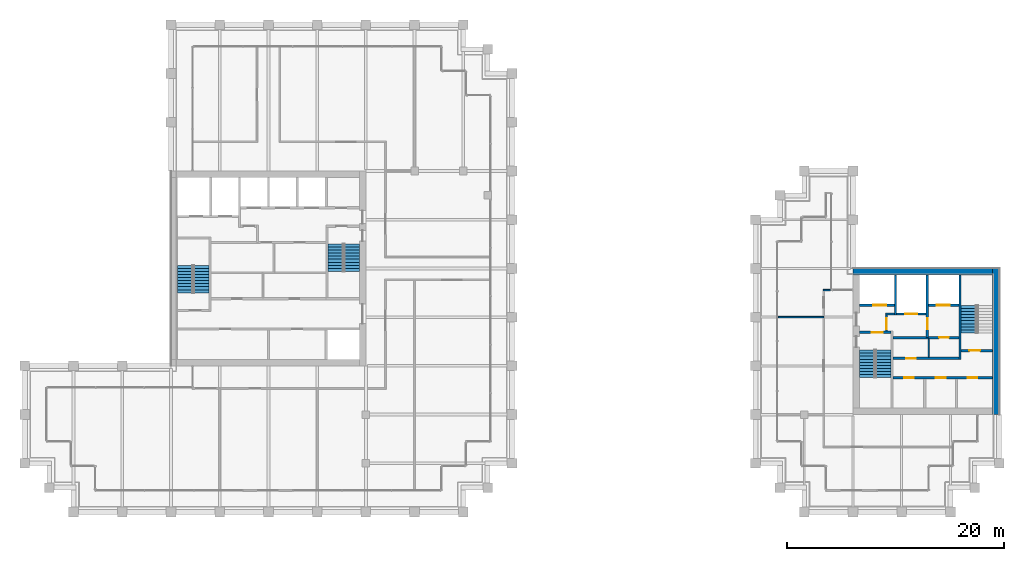
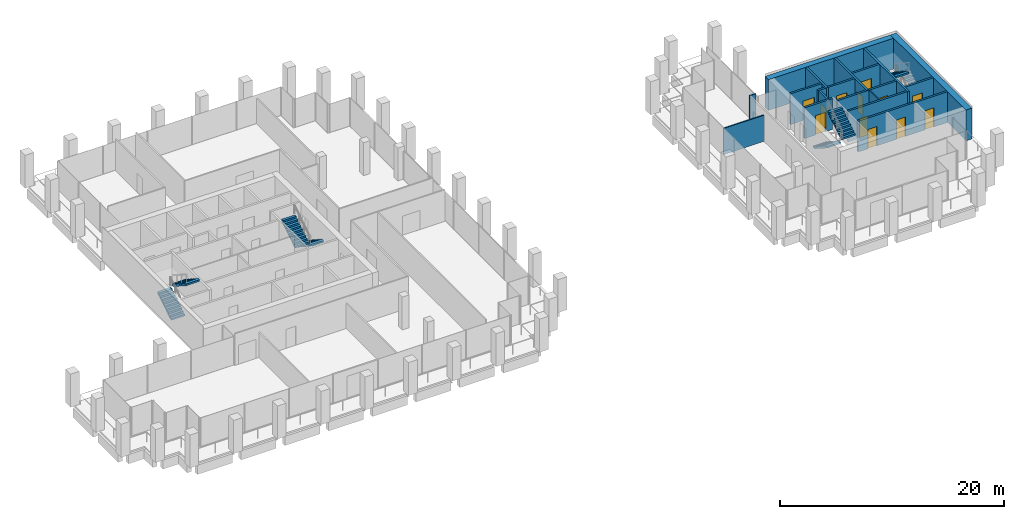
# One storey, part 38 of 40: 18 walls, 12 doors, 7 stair flights, 12 openings, 4 elements without a shape of their own.
"""IFC4 building model written with IfcOpenShell, lengths in metres."""

from ifc_helpers import new_model, si_unit, direction, frame, frame_2d, origin, place, context, subcontext, project, spatial, polyline, rectangle, outline, extrude, material, layer, layer_set, type_object, element, fill, aggregate, save


model = new_model("IFC4")

# Units and contexts
model_context = context("Model", 3, precision=1e-05, world=origin(), true_north=direction((0.0, 1.0)))
body_context = subcontext(model_context, "Body", "Model", "MODEL_VIEW")
ifc_project = project(units=[si_unit("LENGTHUNIT", "METRE"), si_unit("AREAUNIT", "SQUARE_METRE"), si_unit("VOLUMEUNIT", "CUBIC_METRE"), si_unit("PLANEANGLEUNIT", "RADIAN"), si_unit("MASSUNIT", "GRAM", prefix="KILO")], contexts=[model_context])

# Site, building, storey
site_placement = place(None, origin())
site = spatial("IfcSite", under=ifc_project, at=site_placement, CompositionType="ELEMENT")
building_placement = place(site_placement, origin())
building = spatial("IfcBuilding", under=site, at=building_placement, Name="Altepetl Exchange Towers", CompositionType="ELEMENT")
storey_placement = place(building_placement, frame((0.0, 0.0, 154.60009765625)))
storey = spatial("IfcBuildingStorey", under=building, at=storey_placement, Name="L38", CompositionType="ELEMENT", Elevation=154.60009765625)

# Walls
ifc_material_1 = material(Name="Concrete C70/85", Category="concrete")
ifc_layer_1 = layer(ifc_material_1, 0.60009765625)
ifc_layer_set_1 = layer_set([ifc_layer_1], Name="Concrete C70/85")
wall_type_1 = type_object("IfcWallType", Name="Core wall 600 reinforced concrete external", PredefinedType="SHEAR", material=ifc_layer_set_1)
wall_1_placement = place(storey_placement, frame((116.699951171875, 36.0, 0.0), z_axis=(0.0, 0.0, 1.0), x_axis=(0.0, 1.0, 0.0)))
element("IfcWall", 1, at=wall_1_placement, inside=storey, type_object=wall_type_1, Name="wall:B:L38:K-coreE", PredefinedType="SHEAR", context=body_context, shape_type="SweptSolid", body=[
    extrude(rectangle(XDim=13.5, YDim=0.60009765625, at=frame_2d((6.75, 0.0))), origin(), (0.0, 0.0, 1.0), 3.349853515625),
])
wall_2_placement = place(storey_placement, frame((103.5, 49.199951171875, 0.0)))
element("IfcWall", 2, at=wall_2_placement, inside=storey, type_object=wall_type_1, Name="wall:B:L38:K-coreN", PredefinedType="SHEAR", context=body_context, shape_type="SweptSolid", body=[
    extrude(rectangle(XDim=12.89990234375, YDim=0.60009765625, at=frame_2d((6.449951171875, 0.0))), origin(), (0.0, 0.0, 1.0), 3.349853515625),
])
ifc_material_2 = material(Name="Concrete blockwork", Category="masonry")
ifc_layer_2 = layer(ifc_material_2, 0.199951171875)
ifc_layer_set_2 = layer_set([ifc_layer_2], Name="Concrete blockwork")
wall_type_2 = type_object("IfcWallType", Name="Lobby wall 200 blockwork", PredefinedType="PARTITIONING", material=ifc_layer_set_2)
wall_3_placement = place(storey_placement, frame((106.5, 45.300048828125, 0.0)))
element("IfcWall", 3, at=wall_3_placement, inside=storey, type_object=wall_type_2, Name="wall:B:L38:K-ffNw", PredefinedType="PARTITIONING", context=body_context, shape_type="SweptSolid", body=[
    extrude(rectangle(XDim=0.833251953125, YDim=0.199951171875, at=frame_2d((0.41650390625, 0.0))), origin(), (0.0, 0.0, 1.0), 3.349853515625),
])

# Wall, opening, door
wall_4_placement = place(storey_placement, frame((106.60009765625, 43.699951171875, 0.0), z_axis=(0.0, 0.0, 1.0), x_axis=(0.0, 1.0, 0.0)))
wall_4 = element("IfcWall", 4, at=wall_4_placement, inside=storey, type_object=wall_type_2, Name="wall:B:L38:K-ffW", PredefinedType="PARTITIONING", context=body_context, shape_type="SweptSolid", body=[
    extrude(rectangle(XDim=1.5, YDim=0.199951171875, at=frame_2d((0.75, 0.0))), origin(), (0.0, 0.0, 1.0), 3.349853515625),
])
opening_1_placement = place(wall_4_placement, frame((0.199951171875, 0.0, 0.0)))
opening_1 = element("IfcOpeningElement", 5, at=opening_1_placement, cuts=wall_4, Name="Opening L38.B65", PredefinedType="OPENING", context=body_context, shape_type="SweptSolid", body=[
    extrude(rectangle(XDim=1.0, YDim=2.10009765625, at=frame_2d((0.5, 1.050048828125))), frame((0.0, 0.10986328125, 0.0), z_axis=(0.0, -1.0, 0.0), x_axis=(1.0, 0.0, 0.0)), (0.0, 0.0, 1.0), 0.219970703125),
])
ifc_material_3 = material(Name="Steel and timber fire door", Category="steel")
door_type_1 = type_object("IfcDoorType", Name="Fire door 1000 x 2100 stair and lobby", OperationType="SINGLE_SWING_LEFT", PredefinedType="DOOR", material=ifc_material_3)
door_1_placement = place(opening_1_placement, frame((1.0, 0.0, 0.0), x_axis=(-1.0, 0.0, 0.0)))
door_1 = element("IfcDoor", 6, at=door_1_placement, inside=storey, type_object=door_type_1, Name="door:B:L38:K-dffW", OperationType="SINGLE_SWING_LEFT", OverallHeight=2.10009765625, OverallWidth=1.0, PredefinedType="DOOR", context=body_context, shape_type="SweptSolid", body=[
    extrude(rectangle(XDim=1.0, YDim=2.10009765625, at=frame_2d((0.5, 1.050048828125))), frame((0.0, 0.02490234375, 0.0), z_axis=(0.0, -1.0, 0.0), x_axis=(1.0, 0.0, 0.0)), (0.0, 0.0, 1.0), 0.050048828125),
])
fill(opening_1, door_1)

wall_5_placement = place(storey_placement, frame((107.199951171875, 43.10009765625, 0.0)))
wall_5 = element("IfcWall", 7, at=wall_5_placement, inside=storey, type_object=wall_type_2, Name="wall:B:L38:K-zoneN", PredefinedType="PARTITIONING", context=body_context, shape_type="SweptSolid", body=[
    extrude(rectangle(XDim=6.10009765625, YDim=0.199951171875, at=frame_2d((3.050048828125, 0.0))), origin(), (0.0, 0.0, 1.0), 3.349853515625),
])
opening_2_placement = place(wall_5_placement, frame((4.258544921875, 0.0, 0.0)))
opening_2 = element("IfcOpeningElement", 8, at=opening_2_placement, cuts=wall_5, Name="Opening L38.B70", PredefinedType="OPENING", context=body_context, shape_type="SweptSolid", body=[
    extrude(rectangle(XDim=0.89990234375, YDim=2.10009765625, at=frame_2d((0.449951171875, 1.050048828125))), frame((0.0, 0.10986328125, 0.0), z_axis=(0.0, -1.0, 0.0), x_axis=(1.0, 0.0, 0.0)), (0.0, 0.0, 1.0), 0.219970703125),
])
door_type_2 = type_object("IfcDoorType", Name="Fire door 900 x 2100 service room", OperationType="SINGLE_SWING_LEFT", PredefinedType="DOOR", material=ifc_material_3)
door_2_placement = place(opening_2_placement, frame((0.89990234375, 0.0, 0.0), x_axis=(-1.0, 0.0, 0.0)))
door_2 = element("IfcDoor", 9, at=door_2_placement, inside=storey, type_object=door_type_2, Name="door:B:L38:K-dz2", OperationType="SINGLE_SWING_LEFT", OverallHeight=2.10009765625, OverallWidth=0.89990234375, PredefinedType="DOOR", context=body_context, shape_type="SweptSolid", body=[
    extrude(rectangle(XDim=0.89990234375, YDim=2.10009765625, at=frame_2d((0.449951171875, 1.050048828125))), frame((0.0, 0.02490234375, 0.0), z_axis=(0.0, -1.0, 0.0), x_axis=(1.0, 0.0, 0.0)), (0.0, 0.0, 1.0), 0.050048828125),
])
fill(opening_2, door_2)

wall_6_placement = place(storey_placement, frame((107.199951171875, 41.199951171875, 0.0)))
wall_6 = element("IfcWall", 10, at=wall_6_placement, inside=storey, type_object=wall_type_2, Name="wall:B:L38:K-zoneS", PredefinedType="PARTITIONING", context=body_context, shape_type="SweptSolid", body=[
    extrude(rectangle(XDim=6.10009765625, YDim=0.199951171875, at=frame_2d((3.050048828125, 0.0))), origin(), (0.0, 0.0, 1.0), 3.349853515625),
])
opening_3_placement = place(wall_6_placement, frame((1.199951171875, 0.0, 0.0)))
opening_3 = element("IfcOpeningElement", 11, at=opening_3_placement, cuts=wall_6, Name="Opening L38.B69", PredefinedType="OPENING", context=body_context, shape_type="SweptSolid", body=[
    extrude(rectangle(XDim=0.89990234375, YDim=2.10009765625, at=frame_2d((0.449951171875, 1.050048828125))), frame((0.0, 0.10986328125, 0.0), z_axis=(0.0, -1.0, 0.0), x_axis=(1.0, 0.0, 0.0)), (0.0, 0.0, 1.0), 0.219970703125),
])
door_3_placement = place(opening_3_placement, origin())
door_3 = element("IfcDoor", 12, at=door_3_placement, inside=storey, type_object=door_type_2, Name="door:B:L38:K-dz1", OperationType="SINGLE_SWING_RIGHT", OverallHeight=2.10009765625, OverallWidth=0.89990234375, PredefinedType="DOOR", context=body_context, shape_type="SweptSolid", body=[
    extrude(rectangle(XDim=0.89990234375, YDim=2.10009765625, at=frame_2d((0.449951171875, 1.050048828125))), frame((0.0, 0.02490234375, 0.0), z_axis=(0.0, -1.0, 0.0), x_axis=(1.0, 0.0, 0.0)), (0.0, 0.0, 1.0), 0.050048828125),
])
fill(opening_3, door_3)

# Walls
ifc_material_4 = material(Name="Gypsum board on steel studs", Category="steel")
ifc_layer_3 = layer(ifc_material_4, 0.125)
ifc_layer_set_3 = layer_set([ifc_layer_3], Name="Gypsum board on steel studs")
wall_type_3 = type_object("IfcWallType", Name="Partition 125 gypsum board on steel studs", PredefinedType="PARTITIONING", material=ifc_layer_set_3)
wall_7_placement = place(storey_placement, frame((110.5, 41.300048828125, 0.0), z_axis=(0.0, 0.0, 1.0), x_axis=(0.0, 1.0, 0.0)))
element("IfcWall", 13, at=wall_7_placement, inside=storey, type_object=wall_type_3, Name="wall:B:L38:K-zp1", PredefinedType="PARTITIONING", context=body_context, shape_type="SweptSolid", body=[
    extrude(rectangle(XDim=1.699951171875, YDim=0.125, at=frame_2d((0.85009765625, 0.0))), origin(), (0.0, 0.0, 1.0), 3.349853515625),
])
wall_8_placement = place(storey_placement, frame((96.60009765625, 45.0, 0.0)))
element("IfcWall", 14, at=wall_8_placement, inside=storey, type_object=wall_type_3, Name="wall:B:L38:P04", PredefinedType="PARTITIONING", context=body_context, shape_type="SweptSolid", body=[
    extrude(rectangle(XDim=4.199951171875, YDim=0.125, at=frame_2d((2.10009765625, 0.0))), origin(), (0.0, 0.0, 1.0), 2.850830078125),
])
wall_9_placement = place(storey_placement, frame((100.737548828125, 47.5, 0.0)))
element("IfcWall", 15, at=wall_9_placement, inside=storey, type_object=wall_type_3, Name="wall:B:L38:P05", PredefinedType="PARTITIONING", context=body_context, shape_type="SweptSolid", body=[
    extrude(rectangle(XDim=0.662353515625, YDim=0.125, at=frame_2d((0.3310546875, 0.0))), origin(), (0.0, 0.0, 1.0), 3.449951171875),
])
ifc_material_5 = material(Name="Concrete C40/50", Category="concrete")
ifc_layer_4 = layer(ifc_material_5, 0.199951171875)
ifc_layer_set_4 = layer_set([ifc_layer_4], Name="Concrete C40/50")
wall_type_4 = type_object("IfcWallType", Name="Shaft wall 200 reinforced concrete", PredefinedType="SHEAR", material=ifc_layer_set_4)
wall_10_placement = place(storey_placement, frame((107.433349609375, 48.89990234375, 0.0), z_axis=(0.0, 0.0, 1.0), x_axis=(0.0, -1.0, 0.0)))
element("IfcWall", 16, at=wall_10_placement, inside=storey, type_object=wall_type_4, Name="wall:B:L38:K-divN1", PredefinedType="SHEAR", context=body_context, shape_type="SweptSolid", body=[
    extrude(rectangle(XDim=3.699951171875, YDim=0.199951171875, at=frame_2d((1.85009765625, 0.0))), origin(), (0.0, 0.0, 1.0), 3.349853515625),
])

# Wall, opening, door
wall_11_placement = place(storey_placement, frame((110.36669921875, 48.89990234375, 0.0), z_axis=(0.0, 0.0, 1.0), x_axis=(0.0, -1.0, 0.0)))
wall_11 = element("IfcWall", 17, at=wall_11_placement, inside=storey, type_object=wall_type_4, Name="wall:B:L38:K-divN2", PredefinedType="SHEAR", context=body_context, shape_type="SweptSolid", body=[
    extrude(rectangle(XDim=5.7998046875, YDim=0.199951171875, at=frame_2d((2.89990234375, 0.0))), origin(), (0.0, 0.0, 1.0), 3.349853515625),
])
opening_4_placement = place(wall_11_placement, frame((4.0, 0.0, 0.0)))
opening_4 = element("IfcOpeningElement", 18, at=opening_4_placement, cuts=wall_11, Name="Opening L38.B64", PredefinedType="OPENING", context=body_context, shape_type="SweptSolid", body=[
    extrude(rectangle(XDim=1.0, YDim=2.10009765625, at=frame_2d((0.5, 1.050048828125))), frame((0.0, 0.10986328125, 0.0), z_axis=(0.0, -1.0, 0.0), x_axis=(1.0, 0.0, 0.0)), (0.0, 0.0, 1.0), 0.219970703125),
])
door_4_placement = place(opening_4_placement, frame((1.0, 0.0, 0.0), x_axis=(-1.0, 0.0, 0.0)))
door_4 = element("IfcDoor", 19, at=door_4_placement, inside=storey, type_object=door_type_1, Name="door:B:L38:K-dffE", OperationType="SINGLE_SWING_RIGHT", OverallHeight=2.10009765625, OverallWidth=1.0, PredefinedType="DOOR", context=body_context, shape_type="SweptSolid", body=[
    extrude(rectangle(XDim=1.0, YDim=2.10009765625, at=frame_2d((0.5, 1.050048828125))), frame((0.0, 0.02490234375, 0.0), z_axis=(0.0, -1.0, 0.0), x_axis=(1.0, 0.0, 0.0)), (0.0, 0.0, 1.0), 0.050048828125),
])
fill(opening_4, door_4)

wall_12_placement = place(storey_placement, frame((104.10009765625, 46.10009765625, 0.0)))
wall_12 = element("IfcWall", 20, at=wall_12_placement, inside=storey, type_object=wall_type_4, Name="wall:B:L38:K-frontNa", PredefinedType="SHEAR", context=body_context, shape_type="SweptSolid", body=[
    extrude(rectangle(XDim=3.233154296875, YDim=0.199951171875, at=frame_2d((1.61669921875, 0.0))), origin(), (0.0, 0.0, 1.0), 3.349853515625),
])
opening_5_placement = place(wall_12_placement, frame((1.2666015625, 0.0, 0.0)))
opening_5 = element("IfcOpeningElement", 21, at=opening_5_placement, cuts=wall_12, Name="Opening L38.B72", PredefinedType="OPENING", context=body_context, shape_type="SweptSolid", body=[
    extrude(rectangle(XDim=1.199951171875, YDim=2.10009765625, at=frame_2d((0.60009765625, 1.050048828125))), frame((0.0, 0.10986328125, 0.0), z_axis=(0.0, -1.0, 0.0), x_axis=(1.0, 0.0, 0.0)), (0.0, 0.0, 1.0), 0.219970703125),
])
ifc_material_6 = material(Name="Stainless steel", Category="steel")
door_type_3 = type_object("IfcDoorType", Name="Lift landing door 1200 x 2100", OperationType="SLIDING_TO_LEFT", PredefinedType="DOOR", material=ifc_material_6)
door_5_placement = place(opening_5_placement, origin())
door_5 = element("IfcDoor", 22, at=door_5_placement, inside=storey, type_object=door_type_3, Name="Landing door P4", OperationType="SLIDING_TO_LEFT", OverallHeight=2.10009765625, OverallWidth=1.199951171875, PredefinedType="DOOR", context=body_context, shape_type="SweptSolid", body=[
    extrude(rectangle(XDim=1.199951171875, YDim=2.10009765625, at=frame_2d((0.60009765625, 1.050048828125))), frame((0.0, 0.02490234375, 0.0), z_axis=(0.0, -1.0, 0.0), x_axis=(1.0, 0.0, 0.0)), (0.0, 0.0, 1.0), 0.050048828125),
])
fill(opening_5, door_5)

wall_13_placement = place(storey_placement, frame((110.466796875, 46.10009765625, 0.0)))
wall_13 = element("IfcWall", 23, at=wall_13_placement, inside=storey, type_object=wall_type_4, Name="wall:B:L38:K-frontNb", PredefinedType="SHEAR", context=body_context, shape_type="SweptSolid", body=[
    extrude(rectangle(XDim=2.833251953125, YDim=0.199951171875, at=frame_2d((1.41650390625, 0.0))), origin(), (0.0, 0.0, 1.0), 3.349853515625),
])
opening_6_placement = place(wall_13_placement, frame((0.7666015625, 0.0, 0.0)))
opening_6 = element("IfcOpeningElement", 24, at=opening_6_placement, cuts=wall_13, Name="Opening L38.B73", PredefinedType="OPENING", context=body_context, shape_type="SweptSolid", body=[
    extrude(rectangle(XDim=1.199951171875, YDim=2.10009765625, at=frame_2d((0.60009765625, 1.050048828125))), frame((0.0, 0.10986328125, 0.0), z_axis=(0.0, -1.0, 0.0), x_axis=(1.0, 0.0, 0.0)), (0.0, 0.0, 1.0), 0.219970703125),
])
door_6_placement = place(opening_6_placement, origin())
door_6 = element("IfcDoor", 25, at=door_6_placement, inside=storey, type_object=door_type_3, Name="Landing door P5", OperationType="SLIDING_TO_LEFT", OverallHeight=2.10009765625, OverallWidth=1.199951171875, PredefinedType="DOOR", context=body_context, shape_type="SweptSolid", body=[
    extrude(rectangle(XDim=1.199951171875, YDim=2.10009765625, at=frame_2d((0.60009765625, 1.050048828125))), frame((0.0, 0.02490234375, 0.0), z_axis=(0.0, -1.0, 0.0), x_axis=(1.0, 0.0, 0.0)), (0.0, 0.0, 1.0), 0.050048828125),
])
fill(opening_6, door_6)

wall_14_placement = place(storey_placement, frame((107.533203125, 45.300048828125, 0.0)))
wall_14 = element("IfcWall", 26, at=wall_14_placement, inside=storey, type_object=wall_type_4, Name="wall:B:L38:K-frontNd", PredefinedType="SHEAR", context=body_context, shape_type="SweptSolid", body=[
    extrude(rectangle(XDim=2.7333984375, YDim=0.199951171875, at=frame_2d((1.36669921875, 0.0))), origin(), (0.0, 0.0, 1.0), 3.349853515625),
])
opening_7_placement = place(wall_14_placement, frame((0.816650390625, 0.0, 0.0)))
opening_7 = element("IfcOpeningElement", 27, at=opening_7_placement, cuts=wall_14, Name="Opening L38.B71", PredefinedType="OPENING", context=body_context, shape_type="SweptSolid", body=[
    extrude(rectangle(XDim=1.10009765625, YDim=2.10009765625, at=frame_2d((0.550048828125, 1.050048828125))), frame((0.0, 0.10986328125, 0.0), z_axis=(0.0, -1.0, 0.0), x_axis=(1.0, 0.0, 0.0)), (0.0, 0.0, 1.0), 0.219970703125),
])
door_type_4 = type_object("IfcDoorType", Name="Lift landing door 1100 x 2100", OperationType="SLIDING_TO_LEFT", PredefinedType="DOOR", material=ifc_material_6)
door_7_placement = place(opening_7_placement, origin())
door_7 = element("IfcDoor", 28, at=door_7_placement, inside=storey, type_object=door_type_4, Name="Landing door FFL1", OperationType="SLIDING_TO_LEFT", OverallHeight=2.10009765625, OverallWidth=1.10009765625, PredefinedType="DOOR", context=body_context, shape_type="SweptSolid", body=[
    extrude(rectangle(XDim=1.10009765625, YDim=2.10009765625, at=frame_2d((0.550048828125, 1.050048828125))), frame((0.0, 0.02490234375, 0.0), z_axis=(0.0, -1.0, 0.0), x_axis=(1.0, 0.0, 0.0)), (0.0, 0.0, 1.0), 0.050048828125),
])
fill(opening_7, door_7)

# Wall, openings, doors
wall_15_placement = place(storey_placement, frame((107.199951171875, 39.39990234375, 0.0)))
wall_15 = element("IfcWall", 29, at=wall_15_placement, inside=storey, type_object=wall_type_4, Name="wall:B:L38:K-frontS", PredefinedType="SHEAR", context=body_context, shape_type="SweptSolid", body=[
    extrude(rectangle(XDim=9.199951171875, YDim=0.199951171875, at=frame_2d((4.60009765625, 0.0))), origin(), (0.0, 0.0, 1.0), 3.349853515625),
])
opening_8_placement = place(wall_15_placement, frame((1.0166015625, 0.0, 0.0)))
opening_8 = element("IfcOpeningElement", 30, at=opening_8_placement, cuts=wall_15, Name="Opening L38.B66", PredefinedType="OPENING", context=body_context, shape_type="SweptSolid", body=[
    extrude(rectangle(XDim=0.89990234375, YDim=2.10009765625, at=frame_2d((0.449951171875, 1.050048828125))), frame((0.0, 0.10986328125, 0.0), z_axis=(0.0, -1.0, 0.0), x_axis=(1.0, 0.0, 0.0)), (0.0, 0.0, 1.0), 0.219970703125),
])
opening_9_placement = place(wall_15_placement, frame((3.949951171875, 0.0, 0.0)))
opening_9 = element("IfcOpeningElement", 31, at=opening_9_placement, cuts=wall_15, Name="Opening L38.B67", PredefinedType="OPENING", context=body_context, shape_type="SweptSolid", body=[
    extrude(rectangle(XDim=0.89990234375, YDim=2.10009765625, at=frame_2d((0.449951171875, 1.050048828125))), frame((0.0, 0.10986328125, 0.0), z_axis=(0.0, -1.0, 0.0), x_axis=(1.0, 0.0, 0.0)), (0.0, 0.0, 1.0), 0.219970703125),
])
opening_10_placement = place(wall_15_placement, frame((6.88330078125, 0.0, 0.0)))
opening_10 = element("IfcOpeningElement", 32, at=opening_10_placement, cuts=wall_15, Name="Opening L38.B68", PredefinedType="OPENING", context=body_context, shape_type="SweptSolid", body=[
    extrude(rectangle(XDim=0.89990234375, YDim=2.10009765625, at=frame_2d((0.449951171875, 1.050048828125))), frame((0.0, 0.10986328125, 0.0), z_axis=(0.0, -1.0, 0.0), x_axis=(1.0, 0.0, 0.0)), (0.0, 0.0, 1.0), 0.219970703125),
])
door_8_placement = place(opening_8_placement, frame((0.89990234375, 0.0, 0.0), x_axis=(-1.0, 0.0, 0.0)))
door_8 = element("IfcDoor", 33, at=door_8_placement, inside=storey, type_object=door_type_2, Name="door:B:L38:K-dslotS0", OperationType="SINGLE_SWING_LEFT", OverallHeight=2.10009765625, OverallWidth=0.89990234375, PredefinedType="DOOR", context=body_context, shape_type="SweptSolid", body=[
    extrude(rectangle(XDim=0.89990234375, YDim=2.10009765625, at=frame_2d((0.449951171875, 1.050048828125))), frame((0.0, 0.02490234375, 0.0), z_axis=(0.0, -1.0, 0.0), x_axis=(1.0, 0.0, 0.0)), (0.0, 0.0, 1.0), 0.050048828125),
])
fill(opening_8, door_8)
door_9_placement = place(opening_9_placement, frame((0.89990234375, 0.0, 0.0), x_axis=(-1.0, 0.0, 0.0)))
door_9 = element("IfcDoor", 34, at=door_9_placement, inside=storey, type_object=door_type_2, Name="door:B:L38:K-dslotS1", OperationType="SINGLE_SWING_LEFT", OverallHeight=2.10009765625, OverallWidth=0.89990234375, PredefinedType="DOOR", context=body_context, shape_type="SweptSolid", body=[
    extrude(rectangle(XDim=0.89990234375, YDim=2.10009765625, at=frame_2d((0.449951171875, 1.050048828125))), frame((0.0, 0.02490234375, 0.0), z_axis=(0.0, -1.0, 0.0), x_axis=(1.0, 0.0, 0.0)), (0.0, 0.0, 1.0), 0.050048828125),
])
fill(opening_9, door_9)
door_10_placement = place(opening_10_placement, frame((0.89990234375, 0.0, 0.0), x_axis=(-1.0, 0.0, 0.0)))
door_10 = element("IfcDoor", 35, at=door_10_placement, inside=storey, type_object=door_type_2, Name="door:B:L38:K-dslotS2", OperationType="SINGLE_SWING_LEFT", OverallHeight=2.10009765625, OverallWidth=0.89990234375, PredefinedType="DOOR", context=body_context, shape_type="SweptSolid", body=[
    extrude(rectangle(XDim=0.89990234375, YDim=2.10009765625, at=frame_2d((0.449951171875, 1.050048828125))), frame((0.0, 0.02490234375, 0.0), z_axis=(0.0, -1.0, 0.0), x_axis=(1.0, 0.0, 0.0)), (0.0, 0.0, 1.0), 0.050048828125),
])
fill(opening_10, door_10)

# Wall, opening, door
ifc_layer_5 = layer(ifc_material_5, 0.199951171875)
ifc_layer_set_5 = layer_set([ifc_layer_5], Name="Concrete C40/50")
wall_type_5 = type_object("IfcWallType", Name="Stair wall 200 reinforced concrete", PredefinedType="SHEAR", material=ifc_layer_set_5)
wall_16_placement = place(storey_placement, frame((104.10009765625, 43.60009765625, 0.0)))
wall_16 = element("IfcWall", 36, at=wall_16_placement, inside=storey, type_object=wall_type_5, Name="wall:B:L38:K-stS1N", PredefinedType="SHEAR", context=body_context, shape_type="SweptSolid", body=[
    extrude(rectangle(XDim=2.89990234375, YDim=0.199951171875, at=frame_2d((1.449951171875, 0.0))), origin(), (0.0, 0.0, 1.0), 3.349853515625),
])
opening_11_placement = place(wall_16_placement, frame((1.14990234375, 0.0, 0.0)))
opening_11 = element("IfcOpeningElement", 37, at=opening_11_placement, cuts=wall_16, Name="Opening L38.B61", PredefinedType="OPENING", context=body_context, shape_type="SweptSolid", body=[
    extrude(rectangle(XDim=1.0, YDim=2.10009765625, at=frame_2d((0.5, 1.050048828125))), frame((0.0, 0.10986328125, 0.0), z_axis=(0.0, -1.0, 0.0), x_axis=(1.0, 0.0, 0.0)), (0.0, 0.0, 1.0), 0.219970703125),
])
door_11_placement = place(opening_11_placement, frame((1.0, 0.0, 0.0), x_axis=(-1.0, 0.0, 0.0)))
door_11 = element("IfcDoor", 38, at=door_11_placement, inside=storey, type_object=door_type_1, Name="door:B:L38:K-dS1in", OperationType="SINGLE_SWING_LEFT", OverallHeight=2.10009765625, OverallWidth=1.0, PredefinedType="DOOR", context=body_context, shape_type="SweptSolid", body=[
    extrude(rectangle(XDim=1.0, YDim=2.10009765625, at=frame_2d((0.5, 1.050048828125))), frame((0.0, 0.02490234375, 0.0), z_axis=(0.0, -1.0, 0.0), x_axis=(1.0, 0.0, 0.0)), (0.0, 0.0, 1.0), 0.050048828125),
])
fill(opening_11, door_11)

wall_17_placement = place(storey_placement, frame((113.5, 41.89990234375, 0.0)))
wall_17 = element("IfcWall", 39, at=wall_17_placement, inside=storey, type_object=wall_type_5, Name="wall:B:L38:K-stS2S", PredefinedType="SHEAR", context=body_context, shape_type="SweptSolid", body=[
    extrude(rectangle(XDim=2.89990234375, YDim=0.199951171875, at=frame_2d((1.449951171875, 0.0))), origin(), (0.0, 0.0, 1.0), 3.349853515625),
])
opening_12_placement = place(wall_17_placement, frame((0.75, 0.0, 0.0)))
opening_12 = element("IfcOpeningElement", 40, at=opening_12_placement, cuts=wall_17, Name="Opening L38.B63", PredefinedType="OPENING", context=body_context, shape_type="SweptSolid", body=[
    extrude(rectangle(XDim=1.0, YDim=2.10009765625, at=frame_2d((0.5, 1.050048828125))), frame((0.0, 0.10986328125, 0.0), z_axis=(0.0, -1.0, 0.0), x_axis=(1.0, 0.0, 0.0)), (0.0, 0.0, 1.0), 0.219970703125),
])
door_12_placement = place(opening_12_placement, origin())
door_12 = element("IfcDoor", 41, at=door_12_placement, inside=storey, type_object=door_type_1, Name="door:B:L38:K-dS2in", OperationType="SINGLE_SWING_RIGHT", OverallHeight=2.10009765625, OverallWidth=1.0, PredefinedType="DOOR", context=body_context, shape_type="SweptSolid", body=[
    extrude(rectangle(XDim=1.0, YDim=2.10009765625, at=frame_2d((0.5, 1.050048828125))), frame((0.0, 0.02490234375, 0.0), z_axis=(0.0, -1.0, 0.0), x_axis=(1.0, 0.0, 0.0)), (0.0, 0.0, 1.0), 0.050048828125),
])
fill(opening_12, door_12)

# Wall
wall_18_placement = place(storey_placement, frame((113.39990234375, 41.10009765625, 0.0), z_axis=(0.0, 0.0, 1.0), x_axis=(0.0, 1.0, 0.0)))
element("IfcWall", 42, at=wall_18_placement, inside=storey, type_object=wall_type_5, Name="wall:B:L38:K-stS2W", PredefinedType="SHEAR", context=body_context, shape_type="SweptSolid", body=[
    extrude(rectangle(XDim=7.7998046875, YDim=0.199951171875, at=frame_2d((3.89990234375, 0.0))), origin(), (0.0, 0.0, 1.0), 3.349853515625),
])

# Stair, stair flights
stair_type = type_object("IfcStairType", Name="Exit stair 1400 flights dogleg", PredefinedType="HALF_TURN_STAIR", material=ifc_material_5)
stair_1_placement = place(storey_placement, origin())
stair_1 = element("IfcStair", 43, at=stair_1_placement, inside=storey, type_object=stair_type, Name="Exit stair 1", PredefinedType="HALF_TURN_STAIR")
stair_flight_type = type_object("IfcStairFlightType", Name="Stair flight 1400 wide", PredefinedType="STRAIGHT", material=ifc_material_5)
stair_flight_1_placement = place(storey_placement, frame((41.800048828125, 47.25, 0.0), z_axis=(0.0, 0.0, 1.0), x_axis=(0.0, 1.0, 0.0)))
stair_flight_1 = element("IfcStairFlight", 44, at=stair_flight_1_placement, type_object=stair_flight_type, Name="ST-A1e flight 1", NumberOfRisers=10, NumberOfTreads=9, PredefinedType="STRAIGHT", RiserHeight=0.18, TreadLength=0.28, context=body_context, shape_type="SweptSolid", body=[
    extrude(outline(polyline([(0.0, 0.0), (0.0, 0.179931640625), (0.280029296875, 0.179931640625), (0.280029296875, 0.360107421875), (0.56005859375, 0.360107421875), (0.56005859375, 0.5400390625), (0.840087890625, 0.5400390625), (0.840087890625, 0.719970703125), (1.1201171875, 0.719970703125), (1.1201171875, 0.89990234375), (1.39990234375, 0.89990234375), (1.39990234375, 1.080078125), (1.679931640625, 1.080078125), (1.679931640625, 1.260009765625), (1.9599609375, 1.260009765625), (1.9599609375, 1.43994140625), (2.239990234375, 1.43994140625), (2.239990234375, 1.6201171875), (2.52001953125, 1.6201171875), (2.52001953125, 1.800048828125), (2.52001953125, 1.44189453125), (0.277099609375, 0.0), (0.0, 0.0)])), frame((0.0, 0.699951171875, 0.0), z_axis=(0.0, -1.0, 0.0), x_axis=(1.0, 0.0, 0.0)), (0.0, 0.0, 1.0), 1.39990234375),
])
stair_flight_2_placement = place(storey_placement, frame((43.300048828125, 49.77001953125, 1.7998046875), z_axis=(0.0, 0.0, 1.0), x_axis=(0.0, -1.0, 0.0)))
stair_flight_2 = element("IfcStairFlight", 45, at=stair_flight_2_placement, type_object=stair_flight_type, Name="ST-A1e flight 2", NumberOfRisers=10, NumberOfTreads=9, PredefinedType="STRAIGHT", RiserHeight=0.18, TreadLength=0.28, context=body_context, shape_type="SweptSolid", body=[
    extrude(outline(polyline([(0.0, 0.0), (0.0, 0.179931640625), (0.280029296875, 0.179931640625), (0.280029296875, 0.360107421875), (0.56005859375, 0.360107421875), (0.56005859375, 0.5400390625), (0.840087890625, 0.5400390625), (0.840087890625, 0.719970703125), (1.1201171875, 0.719970703125), (1.1201171875, 0.89990234375), (1.39990234375, 0.89990234375), (1.39990234375, 1.080078125), (1.679931640625, 1.080078125), (1.679931640625, 1.260009765625), (1.9599609375, 1.260009765625), (1.9599609375, 1.43994140625), (2.239990234375, 1.43994140625), (2.239990234375, 1.6201171875), (2.52001953125, 1.6201171875), (2.52001953125, 1.800048828125), (2.52001953125, 1.44189453125), (0.277099609375, 0.0), (0.0, 0.0)])), frame((0.0, 0.699951171875, 0.0), z_axis=(0.0, -1.0, 0.0), x_axis=(1.0, 0.0, 0.0)), (0.0, 0.0, 1.0), 1.39990234375),
])
aggregate(stair_1, [stair_flight_1, stair_flight_2])

stair_2_placement = place(storey_placement, origin())
stair_2 = element("IfcStair", 46, at=stair_2_placement, inside=storey, type_object=stair_type, Name="Exit stair 2", PredefinedType="HALF_TURN_STAIR")
stair_flight_3_placement = place(storey_placement, frame((57.199951171875, 51.75, 0.0), z_axis=(0.0, 0.0, 1.0), x_axis=(0.0, -1.0, 0.0)))
stair_flight_3 = element("IfcStairFlight", 47, at=stair_flight_3_placement, type_object=stair_flight_type, Name="ST-A2e flight 1", NumberOfRisers=10, NumberOfTreads=9, PredefinedType="STRAIGHT", RiserHeight=0.18, TreadLength=0.28, context=body_context, shape_type="SweptSolid", body=[
    extrude(outline(polyline([(0.0, 0.0), (0.0, 0.179931640625), (0.280029296875, 0.179931640625), (0.280029296875, 0.360107421875), (0.56005859375, 0.360107421875), (0.56005859375, 0.5400390625), (0.840087890625, 0.5400390625), (0.840087890625, 0.719970703125), (1.1201171875, 0.719970703125), (1.1201171875, 0.89990234375), (1.39990234375, 0.89990234375), (1.39990234375, 1.080078125), (1.679931640625, 1.080078125), (1.679931640625, 1.260009765625), (1.9599609375, 1.260009765625), (1.9599609375, 1.43994140625), (2.239990234375, 1.43994140625), (2.239990234375, 1.6201171875), (2.52001953125, 1.6201171875), (2.52001953125, 1.800048828125), (2.52001953125, 1.44189453125), (0.277099609375, 0.0), (0.0, 0.0)])), frame((0.0, 0.699951171875, 0.0), z_axis=(0.0, -1.0, 0.0), x_axis=(1.0, 0.0, 0.0)), (0.0, 0.0, 1.0), 1.39990234375),
])
stair_flight_4_placement = place(storey_placement, frame((55.699951171875, 49.22998046875, 1.7998046875), z_axis=(0.0, 0.0, 1.0), x_axis=(0.0, 1.0, 0.0)))
stair_flight_4 = element("IfcStairFlight", 48, at=stair_flight_4_placement, type_object=stair_flight_type, Name="ST-A2e flight 2", NumberOfRisers=10, NumberOfTreads=9, PredefinedType="STRAIGHT", RiserHeight=0.18, TreadLength=0.28, context=body_context, shape_type="SweptSolid", body=[
    extrude(outline(polyline([(0.0, 0.0), (0.0, 0.179931640625), (0.280029296875, 0.179931640625), (0.280029296875, 0.360107421875), (0.56005859375, 0.360107421875), (0.56005859375, 0.5400390625), (0.840087890625, 0.5400390625), (0.840087890625, 0.719970703125), (1.1201171875, 0.719970703125), (1.1201171875, 0.89990234375), (1.39990234375, 0.89990234375), (1.39990234375, 1.080078125), (1.679931640625, 1.080078125), (1.679931640625, 1.260009765625), (1.9599609375, 1.260009765625), (1.9599609375, 1.43994140625), (2.239990234375, 1.43994140625), (2.239990234375, 1.6201171875), (2.52001953125, 1.6201171875), (2.52001953125, 1.800048828125), (2.52001953125, 1.44189453125), (0.277099609375, 0.0), (0.0, 0.0)])), frame((0.0, 0.699951171875, 0.0), z_axis=(0.0, -1.0, 0.0), x_axis=(1.0, 0.0, 0.0)), (0.0, 0.0, 1.0), 1.39990234375),
])
aggregate(stair_2, [stair_flight_3, stair_flight_4])

stair_3_placement = place(storey_placement, origin())
stair_3 = element("IfcStair", 49, at=stair_3_placement, inside=storey, type_object=stair_type, Name="Exit stair 1", PredefinedType="HALF_TURN_STAIR")
stair_flight_5_placement = place(storey_placement, frame((104.800048828125, 41.949951171875, 0.0), z_axis=(0.0, 0.0, 1.0), x_axis=(0.0, -1.0, 0.0)))
stair_flight_5 = element("IfcStairFlight", 50, at=stair_flight_5_placement, type_object=stair_flight_type, Name="ST-B1e flight 1", NumberOfRisers=10, NumberOfTreads=9, PredefinedType="STRAIGHT", RiserHeight=0.18, TreadLength=0.28, context=body_context, shape_type="SweptSolid", body=[
    extrude(outline(polyline([(0.0, 0.0), (0.0, 0.179931640625), (0.280029296875, 0.179931640625), (0.280029296875, 0.360107421875), (0.56005859375, 0.360107421875), (0.56005859375, 0.5400390625), (0.840087890625, 0.5400390625), (0.840087890625, 0.719970703125), (1.1201171875, 0.719970703125), (1.1201171875, 0.89990234375), (1.39990234375, 0.89990234375), (1.39990234375, 1.080078125), (1.679931640625, 1.080078125), (1.679931640625, 1.260009765625), (1.9599609375, 1.260009765625), (1.9599609375, 1.43994140625), (2.239990234375, 1.43994140625), (2.239990234375, 1.6201171875), (2.52001953125, 1.6201171875), (2.52001953125, 1.800048828125), (2.52001953125, 1.44189453125), (0.277099609375, 0.0), (0.0, 0.0)])), frame((0.0, 0.699951171875, 0.0), z_axis=(0.0, -1.0, 0.0), x_axis=(1.0, 0.0, 0.0)), (0.0, 0.0, 1.0), 1.39990234375),
])
stair_flight_6_placement = place(storey_placement, frame((106.300048828125, 39.429931640625, 1.7998046875), z_axis=(0.0, 0.0, 1.0), x_axis=(0.0, 1.0, 0.0)))
stair_flight_6 = element("IfcStairFlight", 51, at=stair_flight_6_placement, type_object=stair_flight_type, Name="ST-B1e flight 2", NumberOfRisers=10, NumberOfTreads=9, PredefinedType="STRAIGHT", RiserHeight=0.18, TreadLength=0.28, context=body_context, shape_type="SweptSolid", body=[
    extrude(outline(polyline([(0.0, 0.0), (0.0, 0.179931640625), (0.280029296875, 0.179931640625), (0.280029296875, 0.360107421875), (0.56005859375, 0.360107421875), (0.56005859375, 0.5400390625), (0.840087890625, 0.5400390625), (0.840087890625, 0.719970703125), (1.1201171875, 0.719970703125), (1.1201171875, 0.89990234375), (1.39990234375, 0.89990234375), (1.39990234375, 1.080078125), (1.679931640625, 1.080078125), (1.679931640625, 1.260009765625), (1.9599609375, 1.260009765625), (1.9599609375, 1.43994140625), (2.239990234375, 1.43994140625), (2.239990234375, 1.6201171875), (2.52001953125, 1.6201171875), (2.52001953125, 1.800048828125), (2.52001953125, 1.44189453125), (0.277099609375, 0.0), (0.0, 0.0)])), frame((0.0, 0.699951171875, 0.0), z_axis=(0.0, -1.0, 0.0), x_axis=(1.0, 0.0, 0.0)), (0.0, 0.0, 1.0), 1.39990234375),
])
aggregate(stair_3, [stair_flight_5, stair_flight_6])

# Stair, stair flight
stair_4_placement = place(storey_placement, origin())
stair_4 = element("IfcStair", 52, at=stair_4_placement, inside=storey, type_object=stair_type, Name="Exit stair 2", PredefinedType="HALF_TURN_STAIR")
stair_flight_7_placement = place(storey_placement, frame((114.199951171875, 46.070068359375, 1.7998046875), z_axis=(0.0, 0.0, 1.0), x_axis=(0.0, -1.0, 0.0)))
stair_flight_7 = element("IfcStairFlight", 53, at=stair_flight_7_placement, type_object=stair_flight_type, Name="ST-B2e flight 2", NumberOfRisers=10, NumberOfTreads=9, PredefinedType="STRAIGHT", RiserHeight=0.18, TreadLength=0.28, context=body_context, shape_type="SweptSolid", body=[
    extrude(outline(polyline([(0.0, 0.0), (0.0, 0.179931640625), (0.280029296875, 0.179931640625), (0.280029296875, 0.360107421875), (0.56005859375, 0.360107421875), (0.56005859375, 0.5400390625), (0.840087890625, 0.5400390625), (0.840087890625, 0.719970703125), (1.1201171875, 0.719970703125), (1.1201171875, 0.89990234375), (1.39990234375, 0.89990234375), (1.39990234375, 1.080078125), (1.679931640625, 1.080078125), (1.679931640625, 1.260009765625), (1.9599609375, 1.260009765625), (1.9599609375, 1.43994140625), (2.239990234375, 1.43994140625), (2.239990234375, 1.6201171875), (2.52001953125, 1.6201171875), (2.52001953125, 1.800048828125), (2.52001953125, 1.44189453125), (0.277099609375, 0.0), (0.0, 0.0)])), frame((0.0, 0.699951171875, 0.0), z_axis=(0.0, -1.0, 0.0), x_axis=(1.0, 0.0, 0.0)), (0.0, 0.0, 1.0), 1.39990234375),
])
aggregate(stair_4, [stair_flight_7])

save(model, "model.ifc")
